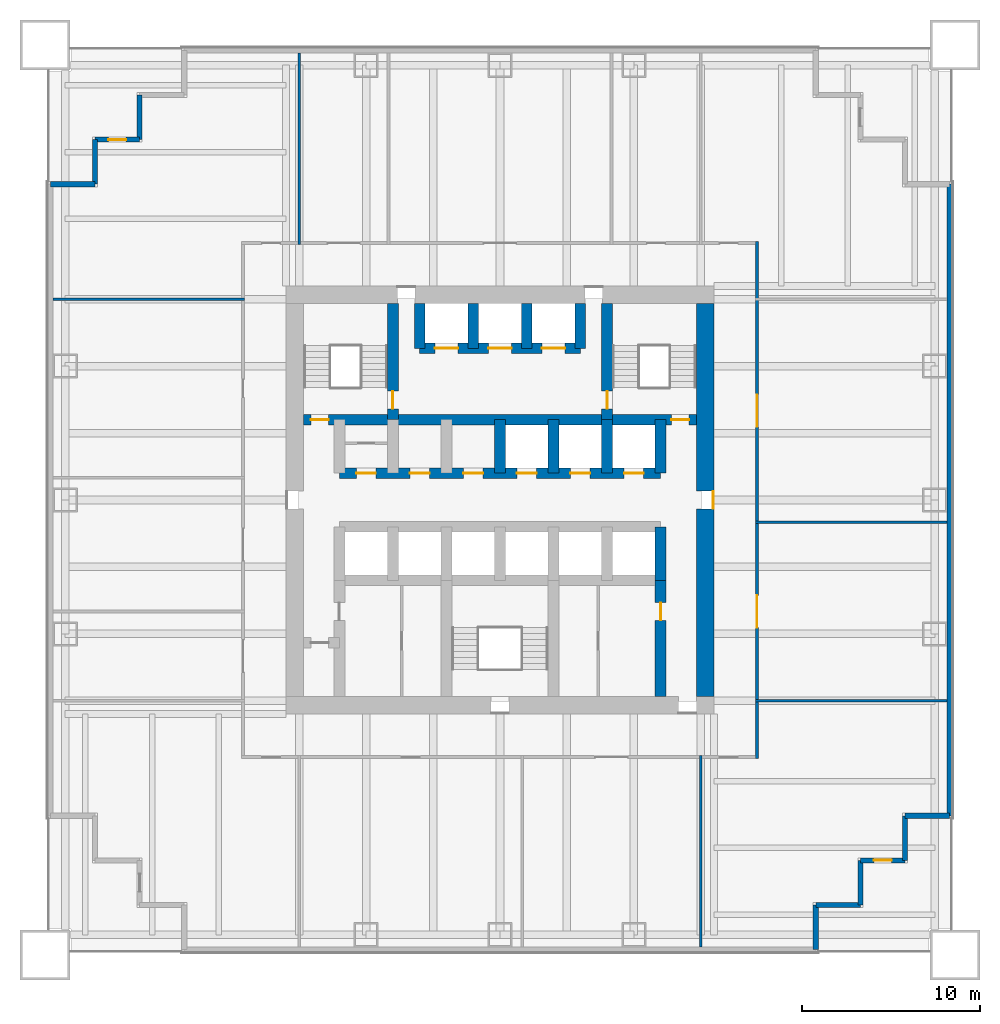
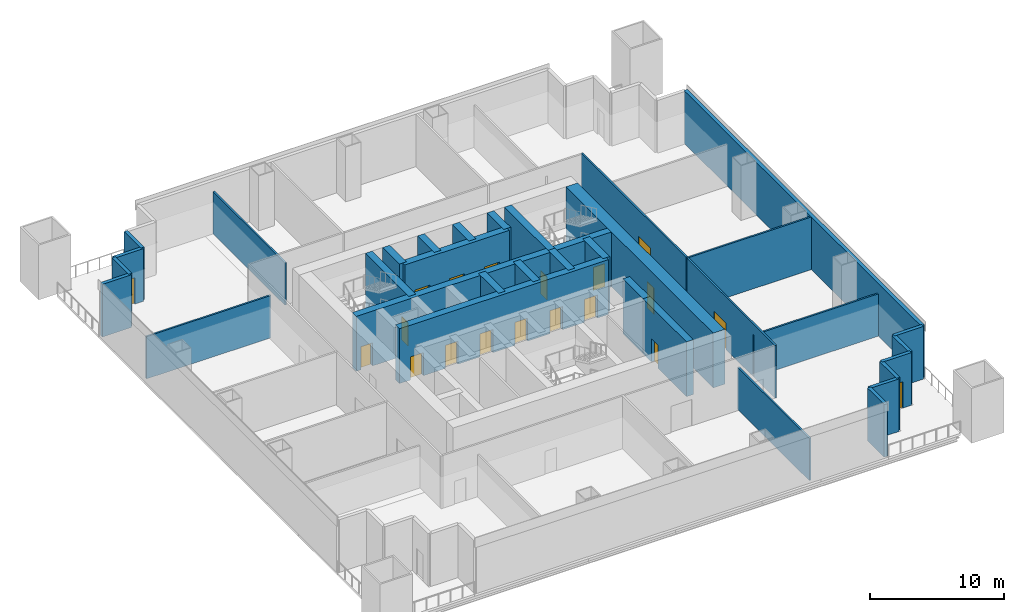
# One storey, part 3 of 6: 33 walls, 19 doors, 19 openings.
"""IFC4 building model written with IfcOpenShell, lengths in metres."""

from ifc_helpers import new_model, si_unit, direction, frame, frame_2d, origin, place, context, subcontext, project, spatial, rectangle, extrude, material, layer, layer_set, type_object, element, fill, save


model = new_model("IFC4")

# Units and contexts
model_context = context("Model", 3, precision=1e-05, world=origin(), true_north=direction((0.0, 1.0)))
body_context = subcontext(model_context, "Body", "Model", "MODEL_VIEW")
ifc_project = project(units=[si_unit("LENGTHUNIT", "METRE"), si_unit("AREAUNIT", "SQUARE_METRE"), si_unit("VOLUMEUNIT", "CUBIC_METRE"), si_unit("PLANEANGLEUNIT", "RADIAN"), si_unit("MASSUNIT", "GRAM", prefix="KILO")], contexts=[model_context])

# Site, building, storey
site_placement = place(None, origin())
site = spatial("IfcSite", under=ifc_project, at=site_placement, CompositionType="ELEMENT")
building_placement = place(site_placement, origin())
building = spatial("IfcBuilding", under=site, at=building_placement, Name="Tarangal Relay Tower", CompositionType="ELEMENT")
storey_placement = place(building_placement, frame((0.0, 0.0, 68.39990234375)))
storey = spatial("IfcBuildingStorey", under=building, at=storey_placement, Name="L13", CompositionType="ELEMENT", Elevation=68.39990234375)

# Wall, openings, doors
ifc_material_1 = material(Name="Concrete fc' 60 MPa", Category="concrete")
ifc_layer_1 = layer(ifc_material_1, 0.60009765625)
ifc_layer_set_1 = layer_set([ifc_layer_1], Name="Core inner wall 600")
wall_type_1 = type_object("IfcWallType", Name="Core inner wall 600", PredefinedType="SHEAR", material=ifc_layer_set_1)
wall_1_placement = place(storey_placement, frame((-11.0, 4.5, 0.0), z_axis=(0.0, 0.0, 1.0), x_axis=(1.0, 0.0, 0.0)))
wall_1 = element("IfcWall", 1, at=wall_1_placement, inside=storey, type_object=wall_type_1, Name="Core wall Y45 L13", PredefinedType="SHEAR", context=body_context, shape_type="SweptSolid", body=[
    extrude(rectangle(XDim=22.0, YDim=0.60009765625, at=frame_2d((11.0, 0.0))), origin(), (0.0, 0.0, 1.0), 5.0),
])
opening_1_placement = place(wall_1_placement, frame((0.39990234375, 0.0, 0.0)))
opening_1 = element("IfcOpeningElement", 2, at=opening_1_placement, cuts=wall_1, Name="Opening FD1", PredefinedType="OPENING", context=body_context, shape_type="SweptSolid", body=[
    extrude(rectangle(XDim=1.0, YDim=2.10009765625, at=frame_2d((0.5, 1.050048828125))), frame((0.0, 0.31005859375, 0.0), z_axis=(0.0, -1.0, 0.0), x_axis=(1.0, 0.0, 0.0)), (0.0, 0.0, 1.0), 0.6201171875),
])
opening_2_placement = place(wall_1_placement, frame((20.60009765625, 0.0, 0.0)))
opening_2 = element("IfcOpeningElement", 3, at=opening_2_placement, cuts=wall_1, Name="Opening FD1", PredefinedType="OPENING", context=body_context, shape_type="SweptSolid", body=[
    extrude(rectangle(XDim=1.0, YDim=2.10009765625, at=frame_2d((0.5, 1.050048828125))), frame((0.0, 0.31005859375, 0.0), z_axis=(0.0, -1.0, 0.0), x_axis=(1.0, 0.0, 0.0)), (0.0, 0.0, 1.0), 0.6201171875),
])
ifc_material_2 = material(Name="Steel door with hardwood frame", Category="steel")
door_type_1 = type_object("IfcDoorType", Name="Fire door 1000 x 2100", OperationType="SINGLE_SWING_LEFT", PredefinedType="DOOR", material=ifc_material_2)
door_1_placement = place(opening_1_placement, origin())
door_1 = element("IfcDoor", 4, at=door_1_placement, inside=storey, type_object=door_type_1, Name="Stair ST-A door from corridor L13", OperationType="SINGLE_SWING_LEFT", OverallHeight=2.10009765625, OverallWidth=1.0, PredefinedType="DOOR", context=body_context, shape_type="SweptSolid", body=[
    extrude(rectangle(XDim=1.0, YDim=2.10009765625, at=frame_2d((0.5, 1.050048828125))), frame((0.0, 0.02490234375, 0.0), z_axis=(0.0, -1.0, 0.0), x_axis=(1.0, 0.0, 0.0)), (0.0, 0.0, 1.0), 0.050048828125),
])
fill(opening_1, door_1)
door_2_placement = place(opening_2_placement, origin())
door_2 = element("IfcDoor", 5, at=door_2_placement, inside=storey, type_object=door_type_1, Name="Stair ST-B door from corridor L13", OperationType="SINGLE_SWING_LEFT", OverallHeight=2.10009765625, OverallWidth=1.0, PredefinedType="DOOR", context=body_context, shape_type="SweptSolid", body=[
    extrude(rectangle(XDim=1.0, YDim=2.10009765625, at=frame_2d((0.5, 1.050048828125))), frame((0.0, 0.02490234375, 0.0), z_axis=(0.0, -1.0, 0.0), x_axis=(1.0, 0.0, 0.0)), (0.0, 0.0, 1.0), 0.050048828125),
])
fill(opening_2, door_2)

wall_2_placement = place(storey_placement, frame((-9.0, 1.5, 0.0), z_axis=(0.0, 0.0, 1.0), x_axis=(1.0, 0.0, 0.0)))
wall_2 = element("IfcWall", 6, at=wall_2_placement, inside=storey, type_object=wall_type_1, Name="Core wall Y15 L13", PredefinedType="SHEAR", context=body_context, shape_type="SweptSolid", body=[
    extrude(rectangle(XDim=18.0, YDim=0.60009765625, at=frame_2d((9.0, 0.0))), origin(), (0.0, 0.0, 1.0), 5.0),
])
opening_3_placement = place(wall_2_placement, frame((9.949951171875, 0.0, 0.0)))
opening_3 = element("IfcOpeningElement", 7, at=opening_3_placement, cuts=wall_2, Name="Opening LD1", PredefinedType="OPENING", context=body_context, shape_type="SweptSolid", body=[
    extrude(rectangle(XDim=1.10009765625, YDim=2.10009765625, at=frame_2d((0.550048828125, 1.050048828125))), frame((0.0, 0.31005859375, 0.0), z_axis=(0.0, -1.0, 0.0), x_axis=(1.0, 0.0, 0.0)), (0.0, 0.0, 1.0), 0.6201171875),
])
opening_4_placement = place(wall_2_placement, frame((12.949951171875, 0.0, 0.0)))
opening_4 = element("IfcOpeningElement", 8, at=opening_4_placement, cuts=wall_2, Name="Opening LD1", PredefinedType="OPENING", context=body_context, shape_type="SweptSolid", body=[
    extrude(rectangle(XDim=1.10009765625, YDim=2.10009765625, at=frame_2d((0.550048828125, 1.050048828125))), frame((0.0, 0.31005859375, 0.0), z_axis=(0.0, -1.0, 0.0), x_axis=(1.0, 0.0, 0.0)), (0.0, 0.0, 1.0), 0.6201171875),
])
opening_5_placement = place(wall_2_placement, frame((15.949951171875, 0.0, 0.0)))
opening_5 = element("IfcOpeningElement", 9, at=opening_5_placement, cuts=wall_2, Name="Opening LD1", PredefinedType="OPENING", context=body_context, shape_type="SweptSolid", body=[
    extrude(rectangle(XDim=1.10009765625, YDim=2.10009765625, at=frame_2d((0.550048828125, 1.050048828125))), frame((0.0, 0.31005859375, 0.0), z_axis=(0.0, -1.0, 0.0), x_axis=(1.0, 0.0, 0.0)), (0.0, 0.0, 1.0), 0.6201171875),
])
opening_6_placement = place(wall_2_placement, frame((0.949951171875, 0.0, 0.0)))
opening_6 = element("IfcOpeningElement", 10, at=opening_6_placement, cuts=wall_2, Name="Opening D4", PredefinedType="OPENING", context=body_context, shape_type="SweptSolid", body=[
    extrude(rectangle(XDim=1.10009765625, YDim=2.10009765625, at=frame_2d((0.550048828125, 1.050048828125))), frame((0.0, 0.31005859375, 0.0), z_axis=(0.0, -1.0, 0.0), x_axis=(1.0, 0.0, 0.0)), (0.0, 0.0, 1.0), 0.6201171875),
])
opening_7_placement = place(wall_2_placement, frame((3.949951171875, 0.0, 0.0)))
opening_7 = element("IfcOpeningElement", 11, at=opening_7_placement, cuts=wall_2, Name="Opening D4", PredefinedType="OPENING", context=body_context, shape_type="SweptSolid", body=[
    extrude(rectangle(XDim=1.10009765625, YDim=2.10009765625, at=frame_2d((0.550048828125, 1.050048828125))), frame((0.0, 0.31005859375, 0.0), z_axis=(0.0, -1.0, 0.0), x_axis=(1.0, 0.0, 0.0)), (0.0, 0.0, 1.0), 0.6201171875),
])
opening_8_placement = place(wall_2_placement, frame((6.949951171875, 0.0, 0.0)))
opening_8 = element("IfcOpeningElement", 12, at=opening_8_placement, cuts=wall_2, Name="Opening D4", PredefinedType="OPENING", context=body_context, shape_type="SweptSolid", body=[
    extrude(rectangle(XDim=1.10009765625, YDim=2.10009765625, at=frame_2d((0.550048828125, 1.050048828125))), frame((0.0, 0.31005859375, 0.0), z_axis=(0.0, -1.0, 0.0), x_axis=(1.0, 0.0, 0.0)), (0.0, 0.0, 1.0), 0.6201171875),
])
door_type_2 = type_object("IfcDoorType", Name="Core room door 1100 x 2100", OperationType="SINGLE_SWING_RIGHT", PredefinedType="DOOR", material=ifc_material_2)
door_3_placement = place(opening_6_placement, origin())
door_3 = element("IfcDoor", 13, at=door_3_placement, inside=storey, type_object=door_type_2, Name="Door D4 to staff pantry L13-D1", OperationType="SINGLE_SWING_RIGHT", OverallHeight=2.10009765625, OverallWidth=1.10009765625, PredefinedType="DOOR", context=body_context, shape_type="SweptSolid", body=[
    extrude(rectangle(XDim=1.10009765625, YDim=2.10009765625, at=frame_2d((0.550048828125, 1.050048828125))), frame((0.0, 0.02490234375, 0.0), z_axis=(0.0, -1.0, 0.0), x_axis=(1.0, 0.0, 0.0)), (0.0, 0.0, 1.0), 0.050048828125),
])
fill(opening_6, door_3)
door_4_placement = place(opening_7_placement, origin())
door_4 = element("IfcDoor", 14, at=door_4_placement, inside=storey, type_object=door_type_2, Name="Door D4 to staff wc L13-D2", OperationType="SINGLE_SWING_RIGHT", OverallHeight=2.10009765625, OverallWidth=1.10009765625, PredefinedType="DOOR", context=body_context, shape_type="SweptSolid", body=[
    extrude(rectangle(XDim=1.10009765625, YDim=2.10009765625, at=frame_2d((0.550048828125, 1.050048828125))), frame((0.0, 0.02490234375, 0.0), z_axis=(0.0, -1.0, 0.0), x_axis=(1.0, 0.0, 0.0)), (0.0, 0.0, 1.0), 0.050048828125),
])
fill(opening_7, door_4)
door_5_placement = place(opening_8_placement, origin())
door_5 = element("IfcDoor", 15, at=door_5_placement, inside=storey, type_object=door_type_2, Name="Door D4 to cleaner's store L13-D3", OperationType="SINGLE_SWING_RIGHT", OverallHeight=2.10009765625, OverallWidth=1.10009765625, PredefinedType="DOOR", context=body_context, shape_type="SweptSolid", body=[
    extrude(rectangle(XDim=1.10009765625, YDim=2.10009765625, at=frame_2d((0.550048828125, 1.050048828125))), frame((0.0, 0.02490234375, 0.0), z_axis=(0.0, -1.0, 0.0), x_axis=(1.0, 0.0, 0.0)), (0.0, 0.0, 1.0), 0.050048828125),
])
fill(opening_8, door_5)
door_type_3 = type_object("IfcDoorType", Name="Lift landing door 1100 x 2100", OperationType="SLIDING_TO_LEFT", PredefinedType="DOOR", material=ifc_material_2)
door_6_placement = place(opening_3_placement, origin())
door_6 = element("IfcDoor", 16, at=door_6_placement, inside=storey, type_object=door_type_3, Name="Lift T1 landing door L13", OperationType="SLIDING_TO_LEFT", OverallHeight=2.10009765625, OverallWidth=1.10009765625, PredefinedType="DOOR", context=body_context, shape_type="SweptSolid", body=[
    extrude(rectangle(XDim=1.10009765625, YDim=2.10009765625, at=frame_2d((0.550048828125, 1.050048828125))), frame((0.0, 0.02490234375, 0.0), z_axis=(0.0, -1.0, 0.0), x_axis=(1.0, 0.0, 0.0)), (0.0, 0.0, 1.0), 0.050048828125),
])
fill(opening_3, door_6)
door_7_placement = place(opening_4_placement, origin())
door_7 = element("IfcDoor", 17, at=door_7_placement, inside=storey, type_object=door_type_3, Name="Lift T2 landing door L13", OperationType="SLIDING_TO_LEFT", OverallHeight=2.10009765625, OverallWidth=1.10009765625, PredefinedType="DOOR", context=body_context, shape_type="SweptSolid", body=[
    extrude(rectangle(XDim=1.10009765625, YDim=2.10009765625, at=frame_2d((0.550048828125, 1.050048828125))), frame((0.0, 0.02490234375, 0.0), z_axis=(0.0, -1.0, 0.0), x_axis=(1.0, 0.0, 0.0)), (0.0, 0.0, 1.0), 0.050048828125),
])
fill(opening_4, door_7)
door_8_placement = place(opening_5_placement, origin())
door_8 = element("IfcDoor", 18, at=door_8_placement, inside=storey, type_object=door_type_3, Name="Lift T3 landing door L13", OperationType="SLIDING_TO_LEFT", OverallHeight=2.10009765625, OverallWidth=1.10009765625, PredefinedType="DOOR", context=body_context, shape_type="SweptSolid", body=[
    extrude(rectangle(XDim=1.10009765625, YDim=2.10009765625, at=frame_2d((0.550048828125, 1.050048828125))), frame((0.0, 0.02490234375, 0.0), z_axis=(0.0, -1.0, 0.0), x_axis=(1.0, 0.0, 0.0)), (0.0, 0.0, 1.0), 0.050048828125),
])
fill(opening_5, door_8)

wall_3_placement = place(storey_placement, frame((-4.5, 8.5, 0.0), z_axis=(0.0, 0.0, 1.0), x_axis=(1.0, 0.0, 0.0)))
wall_3 = element("IfcWall", 19, at=wall_3_placement, inside=storey, type_object=wall_type_1, Name="Core wall Y85 L13", PredefinedType="SHEAR", context=body_context, shape_type="SweptSolid", body=[
    extrude(rectangle(XDim=9.0, YDim=0.60009765625, at=frame_2d((4.5, 0.0))), origin(), (0.0, 0.0, 1.0), 5.0),
])
opening_9_placement = place(wall_3_placement, frame((0.85009765625, 0.0, 0.0)))
opening_9 = element("IfcOpeningElement", 20, at=opening_9_placement, cuts=wall_3, Name="Opening LD2", PredefinedType="OPENING", context=body_context, shape_type="SweptSolid", body=[
    extrude(rectangle(XDim=1.300048828125, YDim=2.39990234375, at=frame_2d((0.64990234375, 1.199951171875))), frame((0.0, 0.31005859375, 0.0), z_axis=(0.0, -1.0, 0.0), x_axis=(1.0, 0.0, 0.0)), (0.0, 0.0, 1.0), 0.6201171875),
])
opening_10_placement = place(wall_3_placement, frame((6.85009765625, 0.0, 0.0)))
opening_10 = element("IfcOpeningElement", 21, at=opening_10_placement, cuts=wall_3, Name="Opening LD2", PredefinedType="OPENING", context=body_context, shape_type="SweptSolid", body=[
    extrude(rectangle(XDim=1.300048828125, YDim=2.39990234375, at=frame_2d((0.64990234375, 1.199951171875))), frame((0.0, 0.31005859375, 0.0), z_axis=(0.0, -1.0, 0.0), x_axis=(1.0, 0.0, 0.0)), (0.0, 0.0, 1.0), 0.6201171875),
])
opening_11_placement = place(wall_3_placement, frame((3.85009765625, 0.0, 0.0)))
opening_11 = element("IfcOpeningElement", 22, at=opening_11_placement, cuts=wall_3, Name="Opening LD2", PredefinedType="OPENING", context=body_context, shape_type="SweptSolid", body=[
    extrude(rectangle(XDim=1.300048828125, YDim=2.39990234375, at=frame_2d((0.64990234375, 1.199951171875))), frame((0.0, 0.31005859375, 0.0), z_axis=(0.0, -1.0, 0.0), x_axis=(1.0, 0.0, 0.0)), (0.0, 0.0, 1.0), 0.6201171875),
])
door_type_4 = type_object("IfcDoorType", Name="Lift landing door 1300 x 2400", OperationType="SLIDING_TO_LEFT", PredefinedType="DOOR", material=ifc_material_2)
door_9_placement = place(opening_9_placement, origin())
door_9 = element("IfcDoor", 23, at=door_9_placement, inside=storey, type_object=door_type_4, Name="Lift FF1 landing door L13", OperationType="SLIDING_TO_LEFT", OverallHeight=2.39990234375, OverallWidth=1.300048828125, PredefinedType="DOOR", context=body_context, shape_type="SweptSolid", body=[
    extrude(rectangle(XDim=1.300048828125, YDim=2.39990234375, at=frame_2d((0.64990234375, 1.199951171875))), frame((0.0, 0.02490234375, 0.0), z_axis=(0.0, -1.0, 0.0), x_axis=(1.0, 0.0, 0.0)), (0.0, 0.0, 1.0), 0.050048828125),
])
fill(opening_9, door_9)
door_10_placement = place(opening_10_placement, origin())
door_10 = element("IfcDoor", 24, at=door_10_placement, inside=storey, type_object=door_type_4, Name="Lift FF2 landing door L13", OperationType="SLIDING_TO_LEFT", OverallHeight=2.39990234375, OverallWidth=1.300048828125, PredefinedType="DOOR", context=body_context, shape_type="SweptSolid", body=[
    extrude(rectangle(XDim=1.300048828125, YDim=2.39990234375, at=frame_2d((0.64990234375, 1.199951171875))), frame((0.0, 0.02490234375, 0.0), z_axis=(0.0, -1.0, 0.0), x_axis=(1.0, 0.0, 0.0)), (0.0, 0.0, 1.0), 0.050048828125),
])
fill(opening_10, door_10)
door_11_placement = place(opening_11_placement, origin())
door_11 = element("IfcDoor", 25, at=door_11_placement, inside=storey, type_object=door_type_4, Name="Lift SV1 landing door L13", OperationType="SLIDING_TO_LEFT", OverallHeight=2.39990234375, OverallWidth=1.300048828125, PredefinedType="DOOR", context=body_context, shape_type="SweptSolid", body=[
    extrude(rectangle(XDim=1.300048828125, YDim=2.39990234375, at=frame_2d((0.64990234375, 1.199951171875))), frame((0.0, 0.02490234375, 0.0), z_axis=(0.0, -1.0, 0.0), x_axis=(1.0, 0.0, 0.0)), (0.0, 0.0, 1.0), 0.050048828125),
])
fill(opening_11, door_11)

# Walls
for number, where, z_axis, x_axis, name in (
    (26, (9.0, 1.5, 0.0), (0.0, 0.0, 1.0), (0.0, 1.0, 0.0), "Core wall X9N L13"),
    (27, (9.0, -4.5, 0.0), (0.0, 0.0, 1.0), (0.0, 1.0, 0.0), "Core wall X9S L13"),
    (28, (0.0, 1.5, 0.0), (0.0, 0.0, 1.0), (0.0, 1.0, 0.0), "Core wall X0N L13"),
    (29, (3.0, 1.5, 0.0), (0.0, 0.0, 1.0), (0.0, 1.0, 0.0), "Core wall X3N L13"),
    (30, (6.0, 1.5, 0.0), (0.0, 0.0, 1.0), (0.0, 1.0, 0.0), "Core wall X6N L13"),
):
    element("IfcWall", number, at=place(storey_placement, frame(where, z_axis=z_axis, x_axis=x_axis)), inside=storey, type_object=wall_type_1, Name=name, PredefinedType="SHEAR", context=body_context, shape_type="SweptSolid", body=[
        extrude(rectangle(XDim=3.0, YDim=0.60009765625, at=frame_2d((1.5, 0.0))), origin(), (0.0, 0.0, 1.0), 5.0),
    ])

# Wall, opening, door
wall_4_placement = place(storey_placement, frame((-6.0, 4.5, 0.0), z_axis=(0.0, 0.0, 1.0), x_axis=(0.0, 1.0, 0.0)))
wall_4 = element("IfcWall", 31, at=wall_4_placement, inside=storey, type_object=wall_type_1, Name="Core wall XM6 L13", PredefinedType="SHEAR", context=body_context, shape_type="SweptSolid", body=[
    extrude(rectangle(XDim=6.5, YDim=0.60009765625, at=frame_2d((3.25, 0.0))), origin(), (0.0, 0.0, 1.0), 5.0),
])
opening_12_placement = place(wall_4_placement, frame((0.60009765625, 0.0, 0.0)))
opening_12 = element("IfcOpeningElement", 32, at=opening_12_placement, cuts=wall_4, Name="Opening FD1", PredefinedType="OPENING", context=body_context, shape_type="SweptSolid", body=[
    extrude(rectangle(XDim=1.0, YDim=2.10009765625, at=frame_2d((0.5, 1.050048828125))), frame((0.0, 0.31005859375, 0.0), z_axis=(0.0, -1.0, 0.0), x_axis=(1.0, 0.0, 0.0)), (0.0, 0.0, 1.0), 0.6201171875),
])
door_12_placement = place(opening_12_placement, origin())
door_12 = element("IfcDoor", 33, at=door_12_placement, inside=storey, type_object=door_type_1, Name="Stair ST-A door from fire-fighting lobby L13", OperationType="SINGLE_SWING_LEFT", OverallHeight=2.10009765625, OverallWidth=1.0, PredefinedType="DOOR", context=body_context, shape_type="SweptSolid", body=[
    extrude(rectangle(XDim=1.0, YDim=2.10009765625, at=frame_2d((0.5, 1.050048828125))), frame((0.0, 0.02490234375, 0.0), z_axis=(0.0, -1.0, 0.0), x_axis=(1.0, 0.0, 0.0)), (0.0, 0.0, 1.0), 0.050048828125),
])
fill(opening_12, door_12)

wall_5_placement = place(storey_placement, frame((6.0, 4.5, 0.0), z_axis=(0.0, 0.0, 1.0), x_axis=(0.0, 1.0, 0.0)))
wall_5 = element("IfcWall", 34, at=wall_5_placement, inside=storey, type_object=wall_type_1, Name="Core wall X6 L13", PredefinedType="SHEAR", context=body_context, shape_type="SweptSolid", body=[
    extrude(rectangle(XDim=6.5, YDim=0.60009765625, at=frame_2d((3.25, 0.0))), origin(), (0.0, 0.0, 1.0), 5.0),
])
opening_13_placement = place(wall_5_placement, frame((0.60009765625, 0.0, 0.0)))
opening_13 = element("IfcOpeningElement", 35, at=opening_13_placement, cuts=wall_5, Name="Opening FD1", PredefinedType="OPENING", context=body_context, shape_type="SweptSolid", body=[
    extrude(rectangle(XDim=1.0, YDim=2.10009765625, at=frame_2d((0.5, 1.050048828125))), frame((0.0, 0.31005859375, 0.0), z_axis=(0.0, -1.0, 0.0), x_axis=(1.0, 0.0, 0.0)), (0.0, 0.0, 1.0), 0.6201171875),
])
door_13_placement = place(opening_13_placement, origin())
door_13 = element("IfcDoor", 36, at=door_13_placement, inside=storey, type_object=door_type_1, Name="Stair ST-B door from fire-fighting lobby L13", OperationType="SINGLE_SWING_LEFT", OverallHeight=2.10009765625, OverallWidth=1.0, PredefinedType="DOOR", context=body_context, shape_type="SweptSolid", body=[
    extrude(rectangle(XDim=1.0, YDim=2.10009765625, at=frame_2d((0.5, 1.050048828125))), frame((0.0, 0.02490234375, 0.0), z_axis=(0.0, -1.0, 0.0), x_axis=(1.0, 0.0, 0.0)), (0.0, 0.0, 1.0), 0.050048828125),
])
fill(opening_13, door_13)

# Walls
for number, where, z_axis, x_axis, name in (
    (37, (-4.5, 8.5, 0.0), (0.0, 0.0, 1.0), (0.0, 1.0, 0.0), "Core wall XM45 L13"),
    (38, (4.5, 8.5, 0.0), (0.0, 0.0, 1.0), (0.0, 1.0, 0.0), "Core wall X45 L13"),
    (39, (-1.5, 8.5, 0.0), (0.0, 0.0, 1.0), (0.0, 1.0, 0.0), "Core wall XM15 L13"),
    (40, (1.5, 8.5, 0.0), (0.0, 0.0, 1.0), (0.0, 1.0, 0.0), "Core wall X15 L13"),
):
    element("IfcWall", number, at=place(storey_placement, frame(where, z_axis=z_axis, x_axis=x_axis)), inside=storey, type_object=wall_type_1, Name=name, PredefinedType="SHEAR", context=body_context, shape_type="SweptSolid", body=[
        extrude(rectangle(XDim=2.5, YDim=0.60009765625, at=frame_2d((1.25, 0.0))), origin(), (0.0, 0.0, 1.0), 5.0),
    ])

# Wall, opening, door
wall_6_placement = place(storey_placement, frame((9.0, -11.0, 0.0), z_axis=(0.0, 0.0, 1.0), x_axis=(0.0, 1.0, 0.0)))
wall_6 = element("IfcWall", 41, at=wall_6_placement, inside=storey, type_object=wall_type_1, Name="Core wall X9W L13", PredefinedType="SHEAR", context=body_context, shape_type="SweptSolid", body=[
    extrude(rectangle(XDim=6.5, YDim=0.60009765625, at=frame_2d((3.25, 0.0))), origin(), (0.0, 0.0, 1.0), 5.0),
])
opening_14_placement = place(wall_6_placement, frame((4.25, 0.0, 0.0)))
opening_14 = element("IfcOpeningElement", 42, at=opening_14_placement, cuts=wall_6, Name="Opening D1", PredefinedType="OPENING", context=body_context, shape_type="SweptSolid", body=[
    extrude(rectangle(XDim=1.0, YDim=2.10009765625, at=frame_2d((0.5, 1.050048828125))), frame((0.0, 0.31005859375, 0.0), z_axis=(0.0, -1.0, 0.0), x_axis=(1.0, 0.0, 0.0)), (0.0, 0.0, 1.0), 0.6201171875),
])
ifc_material_3 = material(Name="Hardwood door", Category="wood")
door_type_5 = type_object("IfcDoorType", Name="WC door 1000 x 2100", OperationType="SINGLE_SWING_LEFT", PredefinedType="DOOR", material=ifc_material_3)
door_14_placement = place(opening_14_placement, origin())
door_14 = element("IfcDoor", 43, at=door_14_placement, inside=storey, type_object=door_type_5, Name="Female WC door L13", OperationType="SINGLE_SWING_LEFT", OverallHeight=2.10009765625, OverallWidth=1.0, PredefinedType="DOOR", context=body_context, shape_type="SweptSolid", body=[
    extrude(rectangle(XDim=1.0, YDim=2.10009765625, at=frame_2d((0.5, 1.050048828125))), frame((0.0, 0.02490234375, 0.0), z_axis=(0.0, -1.0, 0.0), x_axis=(1.0, 0.0, 0.0)), (0.0, 0.0, 1.0), 0.050048828125),
])
fill(opening_14, door_14)

ifc_layer_2 = layer(ifc_material_1, 1.0)
ifc_layer_set_2 = layer_set([ifc_layer_2], Name="Core wall 1000")
wall_type_2 = type_object("IfcWallType", Name="Core wall 1000", PredefinedType="SHEAR", material=ifc_layer_set_2)
wall_7_placement = place(storey_placement, frame((11.5, 11.0, 0.0), z_axis=(0.0, 0.0, 1.0), x_axis=(0.0, -1.0, 0.0)))
wall_7 = element("IfcWall", 44, at=wall_7_placement, inside=storey, type_object=wall_type_2, Name="Core wall E L13", PredefinedType="SHEAR", context=body_context, shape_type="SweptSolid", body=[
    extrude(rectangle(XDim=22.0, YDim=1.0, at=frame_2d((11.0, 0.0))), origin(), (0.0, 0.0, 1.0), 5.0),
])
opening_15_placement = place(wall_7_placement, frame((10.5, 0.0, 0.0)))
opening_15 = element("IfcOpeningElement", 45, at=opening_15_placement, cuts=wall_7, Name="Opening FD3", PredefinedType="OPENING", context=body_context, shape_type="SweptSolid", body=[
    extrude(rectangle(XDim=1.0, YDim=2.39990234375, at=frame_2d((0.5, 1.199951171875))), frame((0.0, 0.510009765625, 0.0), z_axis=(0.0, -1.0, 0.0), x_axis=(1.0, 0.0, 0.0)), (0.0, 0.0, 1.0), 1.02001953125),
])
door_type_6 = type_object("IfcDoorType", Name="Fire door 1000 x 2400 core entry", OperationType="SINGLE_SWING_RIGHT", PredefinedType="DOOR", material=ifc_material_2)
door_15_placement = place(opening_15_placement, origin())
door_15 = element("IfcDoor", 46, at=door_15_placement, inside=storey, type_object=door_type_6, Name="Core entry door east L13", OperationType="SINGLE_SWING_RIGHT", OverallHeight=2.39990234375, OverallWidth=1.0, PredefinedType="DOOR", context=body_context, shape_type="SweptSolid", body=[
    extrude(rectangle(XDim=1.0, YDim=2.39990234375, at=frame_2d((0.5, 1.199951171875))), frame((0.0, 0.48486328125, 0.0), z_axis=(0.0, -1.0, 0.0), x_axis=(1.0, 0.0, 0.0)), (0.0, 0.0, 1.0), 0.050048828125),
])
fill(opening_15, door_15)

# Walls
ifc_material_4 = material(Name="Insulated precast concrete fc' 40 MPa", Category="concrete")
ifc_layer_3 = layer(ifc_material_4, 0.300048828125)
ifc_layer_set_3 = layer_set([ifc_layer_3], Name="Insulated precast concrete fc' 40 MPa")
wall_type_3 = type_object("IfcWallType", Name="Facade wall precast 300", PredefinedType="SOLIDWALL", material=ifc_layer_set_3)
wall_8_placement = place(storey_placement, frame((25.199951171875, 17.699951171875, 0.0), z_axis=(0.0, 0.0, 1.0), x_axis=(0.0, -1.0, 0.0)))
element("IfcWall", 47, at=wall_8_placement, inside=storey, type_object=wall_type_3, Name="Facade wall E facade L13", PredefinedType="SOLIDWALL", context=body_context, shape_type="SweptSolid", body=[
    extrude(rectangle(XDim=35.39990234375, YDim=0.300048828125, at=frame_2d((17.699951171875, 0.0))), origin(), (0.0, 0.0, 1.0), 4.800048828125),
])
for number, where, z_axis, x_axis, name in (
    (48, (25.199951171875, -17.699951171875, 0.0), (0.0, 0.0, 1.0), (-1.0, 0.0, 0.0), "Facade wall E facade L13"),
    (49, (22.699951171875, -17.699951171875, 0.0), (0.0, 0.0, 1.0), (0.0, -1.0, 0.0), "Facade wall E facade L13"),
):
    element("IfcWall", number, at=place(storey_placement, frame(where, z_axis=z_axis, x_axis=x_axis)), inside=storey, type_object=wall_type_3, Name=name, PredefinedType="SOLIDWALL", context=body_context, shape_type="SweptSolid", body=[
        extrude(rectangle(XDim=2.5, YDim=0.300048828125, at=frame_2d((1.25, 0.0))), origin(), (0.0, 0.0, 1.0), 4.800048828125),
    ])

# Wall, opening, door
wall_9_placement = place(storey_placement, frame((22.699951171875, -20.199951171875, 0.0), z_axis=(0.0, 0.0, 1.0), x_axis=(-1.0, 0.0, 0.0)))
wall_9 = element("IfcWall", 50, at=wall_9_placement, inside=storey, type_object=wall_type_3, Name="Facade wall E facade L13", PredefinedType="SOLIDWALL", context=body_context, shape_type="SweptSolid", body=[
    extrude(rectangle(XDim=2.5, YDim=0.300048828125, at=frame_2d((1.25, 0.0))), origin(), (0.0, 0.0, 1.0), 4.800048828125),
])
opening_16_placement = place(wall_9_placement, frame((0.75, 0.0, 0.0)))
opening_16 = element("IfcOpeningElement", 51, at=opening_16_placement, cuts=wall_9, Name="Opening TD1", PredefinedType="OPENING", context=body_context, shape_type="SweptSolid", body=[
    extrude(rectangle(XDim=1.0, YDim=2.39990234375, at=frame_2d((0.5, 1.199951171875))), frame((0.0, 0.159912109375, 0.0), z_axis=(0.0, -1.0, 0.0), x_axis=(1.0, 0.0, 0.0)), (0.0, 0.0, 1.0), 0.320068359375),
])
ifc_material_5 = material(Name="Aluminium glazed door", Category="aluminium")
door_type_7 = type_object("IfcDoorType", Name="Terrace door 1000 x 2400", OperationType="SINGLE_SWING_RIGHT", PredefinedType="DOOR", material=ifc_material_5)
door_16_placement = place(opening_16_placement, origin())
door_16 = element("IfcDoor", 52, at=door_16_placement, inside=storey, type_object=door_type_7, Name="Terrace door TD1 SE L13", OperationType="SINGLE_SWING_RIGHT", OverallHeight=2.39990234375, OverallWidth=1.0, PredefinedType="DOOR", context=body_context, shape_type="SweptSolid", body=[
    extrude(rectangle(XDim=1.0, YDim=2.39990234375, at=frame_2d((0.5, 1.199951171875))), frame((0.0, 0.02490234375, 0.0), z_axis=(0.0, -1.0, 0.0), x_axis=(1.0, 0.0, 0.0)), (0.0, 0.0, 1.0), 0.050048828125),
])
fill(opening_16, door_16)

# Walls
for number, where, z_axis, x_axis, name in (
    (53, (20.199951171875, -20.199951171875, 0.0), (0.0, 0.0, 1.0), (0.0, -1.0, 0.0), "Facade wall E facade L13"),
    (54, (20.199951171875, -22.699951171875, 0.0), (0.0, 0.0, 1.0), (-1.0, 0.0, 0.0), "Facade wall E facade L13"),
    (55, (17.699951171875, -22.699951171875, 0.0), (0.0, 0.0, 1.0), (0.0, -1.0, 0.0), "Facade wall E facade L13"),
    (56, (-25.199951171875, 17.699951171875, 0.0), (0.0, 0.0, 1.0), (1.0, 0.0, 0.0), "Facade wall W facade L13"),
    (57, (-22.699951171875, 17.699951171875, 0.0), (0.0, 0.0, 1.0), (0.0, 1.0, 0.0), "Facade wall W facade L13"),
):
    element("IfcWall", number, at=place(storey_placement, frame(where, z_axis=z_axis, x_axis=x_axis)), inside=storey, type_object=wall_type_3, Name=name, PredefinedType="SOLIDWALL", context=body_context, shape_type="SweptSolid", body=[
        extrude(rectangle(XDim=2.5, YDim=0.300048828125, at=frame_2d((1.25, 0.0))), origin(), (0.0, 0.0, 1.0), 4.800048828125),
    ])

# Wall, opening, door
wall_10_placement = place(storey_placement, frame((-22.699951171875, 20.199951171875, 0.0), z_axis=(0.0, 0.0, 1.0), x_axis=(1.0, 0.0, 0.0)))
wall_10 = element("IfcWall", 58, at=wall_10_placement, inside=storey, type_object=wall_type_3, Name="Facade wall W facade L13", PredefinedType="SOLIDWALL", context=body_context, shape_type="SweptSolid", body=[
    extrude(rectangle(XDim=2.5, YDim=0.300048828125, at=frame_2d((1.25, 0.0))), origin(), (0.0, 0.0, 1.0), 4.800048828125),
])
opening_17_placement = place(wall_10_placement, frame((0.75, 0.0, 0.0)))
opening_17 = element("IfcOpeningElement", 59, at=opening_17_placement, cuts=wall_10, Name="Opening TD1", PredefinedType="OPENING", context=body_context, shape_type="SweptSolid", body=[
    extrude(rectangle(XDim=1.0, YDim=2.39990234375, at=frame_2d((0.5, 1.199951171875))), frame((0.0, 0.159912109375, 0.0), z_axis=(0.0, -1.0, 0.0), x_axis=(1.0, 0.0, 0.0)), (0.0, 0.0, 1.0), 0.320068359375),
])
door_17_placement = place(opening_17_placement, origin())
door_17 = element("IfcDoor", 60, at=door_17_placement, inside=storey, type_object=door_type_7, Name="Terrace door TD1 NW L13", OperationType="SINGLE_SWING_RIGHT", OverallHeight=2.39990234375, OverallWidth=1.0, PredefinedType="DOOR", context=body_context, shape_type="SweptSolid", body=[
    extrude(rectangle(XDim=1.0, YDim=2.39990234375, at=frame_2d((0.5, 1.199951171875))), frame((0.0, 0.02490234375, 0.0), z_axis=(0.0, -1.0, 0.0), x_axis=(1.0, 0.0, 0.0)), (0.0, 0.0, 1.0), 0.050048828125),
])
fill(opening_17, door_17)

# Walls
wall_11_placement = place(storey_placement, frame((-20.199951171875, 20.199951171875, 0.0), z_axis=(0.0, 0.0, 1.0), x_axis=(0.0, 1.0, 0.0)))
element("IfcWall", 61, at=wall_11_placement, inside=storey, type_object=wall_type_3, Name="Facade wall W facade L13", PredefinedType="SOLIDWALL", context=body_context, shape_type="SweptSolid", body=[
    extrude(rectangle(XDim=2.5, YDim=0.300048828125, at=frame_2d((1.25, 0.0))), origin(), (0.0, 0.0, 1.0), 4.800048828125),
])
ifc_material_6 = material(Name="Gypsum board on steel studs", Category="steel")
ifc_layer_4 = layer(ifc_material_6, 0.14990234375)
ifc_layer_set_4 = layer_set([ifc_layer_4], Name="Partition 150")
wall_type_4 = type_object("IfcWallType", Name="Partition 150", PredefinedType="PARTITIONING", material=ifc_layer_set_4)
wall_12_placement = place(storey_placement, frame((14.324951171875, -11.25, 0.0), z_axis=(0.0, 0.0, 1.0), x_axis=(1.0, 0.0, 0.0)))
element("IfcWall", 62, at=wall_12_placement, inside=storey, type_object=wall_type_4, Name="Partition PT1 L13", PredefinedType="PARTITIONING", context=body_context, shape_type="SweptSolid", body=[
    extrude(rectangle(XDim=10.72509765625, YDim=0.14990234375, at=frame_2d((5.362548828125, 0.0))), origin(), (0.0, 0.0, 1.0), 3.852783203125),
])
wall_13_placement = place(storey_placement, frame((14.324951171875, -1.25, 0.0), z_axis=(0.0, 0.0, 1.0), x_axis=(1.0, 0.0, 0.0)))
element("IfcWall", 63, at=wall_13_placement, inside=storey, type_object=wall_type_4, Name="Partition PT1 L13", PredefinedType="PARTITIONING", context=body_context, shape_type="SweptSolid", body=[
    extrude(rectangle(XDim=10.72509765625, YDim=0.14990234375, at=frame_2d((5.362548828125, 0.0))), origin(), (0.0, 0.0, 1.0), 4.800048828125),
])
for number, where, z_axis, x_axis, name in (
    (64, (-25.050048828125, 11.25, 0.0), (0.0, 0.0, 1.0), (1.0, 0.0, 0.0), "Partition PT1 L13"),
    (65, (-11.25, 14.324951171875, 0.0), (0.0, 0.0, 1.0), (0.0, 1.0, 0.0), "Partition PT1 L13"),
    (66, (11.25, -25.050048828125, 0.0), (0.0, 0.0, 1.0), (0.0, 1.0, 0.0), "Partition PT1 L13"),
):
    element("IfcWall", number, at=place(storey_placement, frame(where, z_axis=z_axis, x_axis=x_axis)), inside=storey, type_object=wall_type_4, Name=name, PredefinedType="PARTITIONING", context=body_context, shape_type="SweptSolid", body=[
        extrude(rectangle(XDim=10.72509765625, YDim=0.14990234375, at=frame_2d((5.362548828125, 0.0))), origin(), (0.0, 0.0, 1.0), 3.852783203125),
    ])

# Wall, openings, doors
wall_14_placement = place(storey_placement, frame((14.39990234375, -14.47509765625, 0.0), z_axis=(0.0, 0.0, 1.0), x_axis=(0.0, 1.0, 0.0)))
wall_14 = element("IfcWall", 67, at=wall_14_placement, inside=storey, type_object=wall_type_4, Name="Partition PT1 L13", PredefinedType="PARTITIONING", context=body_context, shape_type="SweptSolid", body=[
    extrude(rectangle(XDim=28.9501953125, YDim=0.14990234375, at=frame_2d((14.47509765625, 0.0))), origin(), (0.0, 0.0, 1.0), 4.800048828125),
])
opening_18_placement = place(wall_14_placement, frame((18.574951171875, 0.0, 0.0)))
opening_18 = element("IfcOpeningElement", 68, at=opening_18_placement, cuts=wall_14, Name="Opening DD1", PredefinedType="OPENING", context=body_context, shape_type="SweptSolid", body=[
    extrude(rectangle(XDim=1.800048828125, YDim=2.39990234375, at=frame_2d((0.89990234375, 1.199951171875))), frame((0.0, 0.0849609375, 0.0), z_axis=(0.0, -1.0, 0.0), x_axis=(1.0, 0.0, 0.0)), (0.0, 0.0, 1.0), 0.169921875),
])
opening_19_placement = place(wall_14_placement, frame((7.324951171875, 0.0, 0.0)))
opening_19 = element("IfcOpeningElement", 69, at=opening_19_placement, cuts=wall_14, Name="Opening DD1", PredefinedType="OPENING", context=body_context, shape_type="SweptSolid", body=[
    extrude(rectangle(XDim=1.800048828125, YDim=2.39990234375, at=frame_2d((0.89990234375, 1.199951171875))), frame((0.0, 0.0849609375, 0.0), z_axis=(0.0, -1.0, 0.0), x_axis=(1.0, 0.0, 0.0)), (0.0, 0.0, 1.0), 0.169921875),
])
door_type_8 = type_object("IfcDoorType", Name="Equipment double door 1800 x 2400", OperationType="DOUBLE_DOOR_SINGLE_SWING", PredefinedType="DOOR", material=ifc_material_2)
door_18_placement = place(opening_18_placement, origin())
door_18 = element("IfcDoor", 70, at=door_18_placement, inside=storey, type_object=door_type_8, Name="Door DD1 to data hall L13-05", OperationType="DOUBLE_DOOR_SINGLE_SWING", OverallHeight=2.39990234375, OverallWidth=1.800048828125, PredefinedType="DOOR", context=body_context, shape_type="SweptSolid", body=[
    extrude(rectangle(XDim=1.800048828125, YDim=2.39990234375, at=frame_2d((0.89990234375, 1.199951171875))), frame((0.0, 0.02490234375, 0.0), z_axis=(0.0, -1.0, 0.0), x_axis=(1.0, 0.0, 0.0)), (0.0, 0.0, 1.0), 0.050048828125),
])
fill(opening_18, door_18)
door_19_placement = place(opening_19_placement, origin())
door_19 = element("IfcDoor", 71, at=door_19_placement, inside=storey, type_object=door_type_8, Name="Door DD1 to network equipment room L13-06", OperationType="DOUBLE_DOOR_SINGLE_SWING", OverallHeight=2.39990234375, OverallWidth=1.800048828125, PredefinedType="DOOR", context=body_context, shape_type="SweptSolid", body=[
    extrude(rectangle(XDim=1.800048828125, YDim=2.39990234375, at=frame_2d((0.89990234375, 1.199951171875))), frame((0.0, 0.02490234375, 0.0), z_axis=(0.0, -1.0, 0.0), x_axis=(1.0, 0.0, 0.0)), (0.0, 0.0, 1.0), 0.050048828125),
])
fill(opening_19, door_19)

save(model, "model.ifc")
